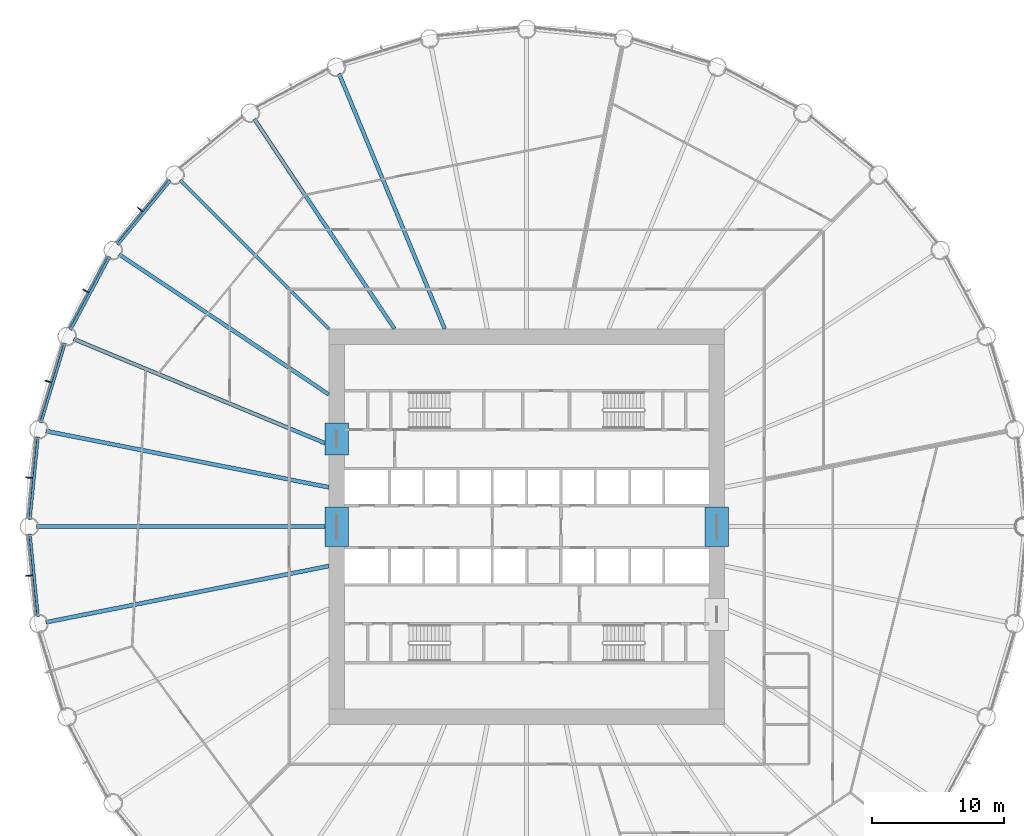
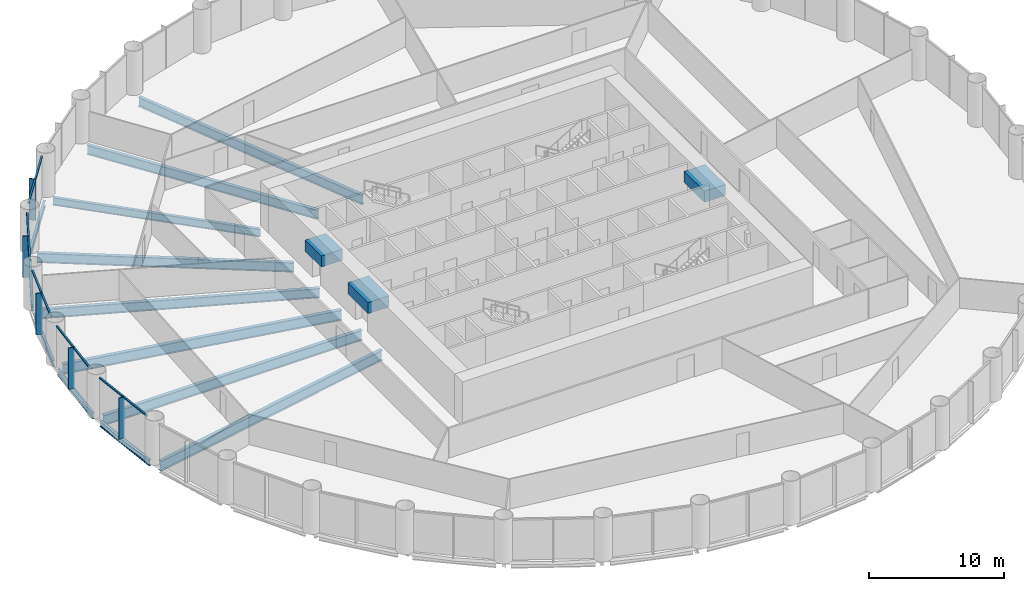
# One storey, part 4 of 15: 16 beams, 15 members, 5 elements without a shape of their own.
"""IFC4 building model written with IfcOpenShell, lengths in metres."""

import ifcopenshell
import ifcopenshell.guid

model = None  # the IFC model being written
_history = None  # IfcOwnerHistory: only IFC2X3 demands one
_inside = {}  # id of a spatial element -> (the spatial element, [elements in it])
_under = {}  # id of a project, library or spatial element -> (it, [spatial elements below it])
_declared = {}  # id of a project -> (the project, [libraries it declares])
_typed = {}  # id of a type object -> (the type object, [elements of that type])
_made_of = {}  # id of a material, layer set ... -> (it, [elements and type objects made of it])


def new_model(schema):
    """Start an empty IFC model of exactly this schema.

    Asked for "IFC4X3", IfcOpenShell would pick the latest addendum, in which some entities
    have other attributes; the version numbers below select the first issue.
    IFC2X3 requires an IfcOwnerHistory on every rooted entity: one is made here for all.
    """
    global model, _history
    if schema == "IFC4X3":
        model = ifcopenshell.file(schema_version=(4, 3, 0, 0))
    else:
        model = ifcopenshell.file(schema=schema)
    _inside.clear()
    _under.clear()
    _declared.clear()
    _typed.clear()
    _made_of.clear()
    _history = None
    if model.schema == "IFC2X3":
        org = make("IfcOrganization", Name="unknown")
        user = make(
            "IfcPersonAndOrganization",
            ThePerson=make("IfcPerson", FamilyName="unknown"),
            TheOrganization=org,
        )
        app = make(
            "IfcApplication",
            ApplicationDeveloper=org,
            Version="unknown",
            ApplicationFullName="unknown",
            ApplicationIdentifier="unknown",
        )
        _history = make(
            "IfcOwnerHistory",
            OwningUser=user,
            OwningApplication=app,
            ChangeAction="ADDED",
            CreationDate=0,
        )
    return model


def make(cls, **values):
    """One entity of the class cls with the attributes given. An attribute that is None is left unset."""
    return model.create_entity(
        cls, **{name: value for name, value in values.items() if value is not None}
    )


def rooted(cls, **values):
    """An entity with a GlobalId (a new one), such as an element, a storey or a relation."""
    return make(cls, GlobalId=ifcopenshell.guid.new(), OwnerHistory=_history, **values)


def si_unit(unit_type, name, prefix=None):
    """IfcSIUnit, for example si_unit("LENGTHUNIT", "METRE", prefix="MILLI")."""
    return make("IfcSIUnit", UnitType=unit_type, Prefix=prefix, Name=name)


def assignment(units):
    """IfcUnitAssignment: the units of a project."""
    return None if units is None else make("IfcUnitAssignment", Units=units)


def point(xyz):
    """IfcCartesianPoint."""
    return None if xyz is None else make("IfcCartesianPoint", Coordinates=xyz)


def direction(xyz):
    """IfcDirection."""
    return None if xyz is None else make("IfcDirection", DirectionRatios=xyz)


def frame(location, z_axis=None, x_axis=None):
    """IfcAxis2Placement3D, a coordinate frame: its origin and axes. An axis left out is left unset."""
    return make(
        "IfcAxis2Placement3D",
        Location=point(location),
        Axis=direction(z_axis),
        RefDirection=direction(x_axis),
    )


def frame_2d(location, x_axis=None):
    """IfcAxis2Placement2D, a coordinate frame in the plane: its origin and x axis."""
    return make(
        "IfcAxis2Placement2D", Location=point(location), RefDirection=direction(x_axis)
    )


def origin():
    """The frame at (0, 0, 0) with its axes left unset."""
    return frame((0.0, 0.0, 0.0))


def origin_2d():
    """The frame at (0, 0) in the plane with its x axis left unset."""
    return frame_2d((0.0, 0.0))


def place(relative_to, where):
    """IfcLocalPlacement: puts the frame where relative to a parent placement (None: the world)."""
    return make(
        "IfcLocalPlacement", PlacementRelTo=relative_to, RelativePlacement=where
    )


def context(
    kind, dimensions, precision=None, world=None, true_north=None, identifier=None
):
    """IfcGeometricRepresentationContext, for example the 3D "Model" context."""
    return make(
        "IfcGeometricRepresentationContext",
        ContextIdentifier=identifier,
        ContextType=kind,
        CoordinateSpaceDimension=dimensions,
        Precision=precision,
        WorldCoordinateSystem=world,
        TrueNorth=true_north,
    )


def subcontext(parent, identifier, kind, view, scale=None):
    """IfcGeometricRepresentationSubContext, for example "Body" below "Model"."""
    return make(
        "IfcGeometricRepresentationSubContext",
        ContextIdentifier=identifier,
        ContextType=kind,
        ParentContext=parent,
        TargetScale=scale,
        TargetView=view,
    )


def project(units=None, contexts=None):
    """IfcProject with its units and contexts."""
    return rooted(
        "IfcProject",
        Name="project",
        RepresentationContexts=contexts,
        UnitsInContext=assignment(units),
    )


def spatial(cls, under=None, at=None, **own):
    """A site, building, storey or space (cls), placed at a placement, below another one or the project."""
    s = rooted(cls, ObjectPlacement=at, **own)
    if under is not None:
        _under.setdefault(under.id(), (under, []))[1].append(s)
    return s


def profile(cls, at=None, kind="AREA", **sizes):
    """A parametric profile (cls). Its sizes go by their IFC names, for example OverallWidth=200.0."""
    return make(cls, ProfileType=kind, Position=at, **sizes)


def rectangle(**sizes):
    """IfcRectangleProfileDef."""
    return profile("IfcRectangleProfileDef", **sizes)


def i_section(**sizes):
    """IfcIShapeProfileDef."""
    return profile("IfcIShapeProfileDef", **sizes)


def extrude(swept, where, along, depth):
    """IfcExtrudedAreaSolid: the profile swept, set in the frame where, extruded along a direction by depth."""
    return make(
        "IfcExtrudedAreaSolid",
        SweptArea=swept,
        Position=where,
        ExtrudedDirection=direction(along),
        Depth=depth,
    )


def shape(context_of_items, identifier, shape_type, items):
    """IfcShapeRepresentation: the items that make up one representation, for example the "Body"."""
    return make(
        "IfcShapeRepresentation",
        ContextOfItems=context_of_items,
        RepresentationIdentifier=identifier,
        RepresentationType=shape_type,
        Items=items,
    )


def material(Name=None, Category=None):
    """IfcMaterial."""
    return make("IfcMaterial", Name=Name, Category=Category)


def material_profile(
    of_material, cross_section, Name=None, Category=None, Priority=None
):
    """IfcMaterialProfile: a cross section and its material."""
    return make(
        "IfcMaterialProfile",
        Name=Name,
        Material=of_material,
        Profile=cross_section,
        Priority=Priority,
        Category=Category,
    )


def profile_set(profiles, Name=None, composite=None):
    """IfcMaterialProfileSet."""
    return make(
        "IfcMaterialProfileSet",
        Name=Name,
        MaterialProfiles=profiles,
        CompositeProfile=composite,
    )


def made_of(thing, what):
    """Note that an element or type object is made of a material, layer set ...; save() writes the relation."""
    if what is not None:
        _made_of.setdefault(what.id(), (what, []))[1].append(thing)
    return thing


def type_object(cls, material=None, **own):
    """A type object (cls), such as IfcWallType, which elements share."""
    return made_of(rooted(cls, **own), material)


def element(
    cls,
    number,
    at=None,
    inside=None,
    cuts=None,
    type_object=None,
    material=None,
    context=None,
    identifier="Body",
    shape_type=None,
    held_by="IfcProductDefinitionShape",
    body=None,
    shapes=None,
    **own,
):
    """One element of the class cls, such as IfcWall. Its Tag is "e" and its number.

    at: its placement. inside: the storey or other place that contains it. cuts: it is an
    opening in that element (IfcRelVoidsElement). A single representation is given by context,
    identifier, shape_type and body (its items); several are given by shapes. held_by: the class
    of the entity that holds the representations. save() writes the other relations.
    """
    e = rooted(cls, Tag="e%d" % number, ObjectPlacement=at, **own)
    if body is not None:
        shapes = [shape(context, identifier, shape_type, body)]
    if shapes is not None:
        e.Representation = make(held_by, Representations=shapes)
    if inside is not None:
        _inside.setdefault(inside.id(), (inside, []))[1].append(e)
    if cuts is not None:
        rooted(
            "IfcRelVoidsElement", RelatingBuildingElement=cuts, RelatedOpeningElement=e
        )
    if type_object is not None:
        _typed.setdefault(type_object.id(), (type_object, []))[1].append(e)
    return made_of(e, material)


def aggregate(whole, parts):
    """IfcRelAggregates: a whole, such as a stair, and the parts it consists of."""
    return rooted("IfcRelAggregates", RelatingObject=whole, RelatedObjects=parts)


def save(model, path):
    """Write the relations noted so far, then the file.

    IfcRelAggregates (storeys below a building ...), IfcRelContainedInSpatialStructure (elements
    in a storey), IfcRelDefinesByType, IfcRelAssociatesMaterial and IfcRelDeclares: one each for
    every whole, place, type object, material and project.
    """
    for whole, parts in _under.values():
        aggregate(whole, parts)
    for where, things in _inside.values():
        rooted(
            "IfcRelContainedInSpatialStructure",
            RelatedElements=things,
            RelatingStructure=where,
        )
    for kind, things in _typed.values():
        rooted("IfcRelDefinesByType", RelatedObjects=things, RelatingType=kind)
    for what, things in _made_of.values():
        rooted("IfcRelAssociatesMaterial", RelatedObjects=things, RelatingMaterial=what)
    for by, libraries in _declared.values():
        rooted("IfcRelDeclares", RelatingContext=by, RelatedDefinitions=libraries)
    model.write(path)


model = new_model("IFC4")

# Units and contexts
model_context = context("Model", 3, precision=1e-05, world=origin(), true_north=direction((0.0, 1.0)))
body_context = subcontext(model_context, "Body", "Model", "MODEL_VIEW")
ifc_project = project(units=[si_unit("LENGTHUNIT", "METRE"), si_unit("AREAUNIT", "SQUARE_METRE"), si_unit("VOLUMEUNIT", "CUBIC_METRE"), si_unit("PLANEANGLEUNIT", "RADIAN"), si_unit("MASSUNIT", "GRAM", prefix="KILO")], contexts=[model_context])

# Site, building, storey
site_placement = place(None, origin())
site = spatial("IfcSite", under=ifc_project, at=site_placement, CompositionType="ELEMENT")
building_placement = place(site_placement, origin())
building = spatial("IfcBuilding", under=site, at=building_placement, Name="Corvane Civic Tower", CompositionType="ELEMENT")
storey_placement = place(building_placement, frame((0.0, 0.0, 73.0)))
storey = spatial("IfcBuildingStorey", under=building, at=storey_placement, Name="L16", CompositionType="ELEMENT", Elevation=73.0)

# Beams
ifc_material_1 = material(Name="Concrete C80/95", Category="concrete")
ifc_material_profile_1 = material_profile(ifc_material_1, rectangle(XDim=1.800048828125, YDim=1.0, at=origin_2d()), Name="COUPLING BEAM 1800X1000")
ifc_profile_set_1 = profile_set([ifc_material_profile_1], Name="Concrete C80/95")
beam_type_1 = type_object("IfcBeamType", Name="COUPLING BEAM COUPLING BEAM 1800X1000", PredefinedType="BEAM", material=ifc_profile_set_1)
for number, where, z_axis, x_axis, name in (
    (1, (-14.39990234375, -1.5, 2.60009765625), (0.0, 1.0, 0.0), (-1.0, 0.0, 0.0), "BM-L16-cpl-CW-LW"),
    (2, (14.39990234375, -1.5, 2.60009765625), (0.0, 1.0, 0.0), (-1.0, 0.0, 0.0), "BM-L16-cpl-CW-LE"),
):
    element("IfcBeam", number, at=place(storey_placement, frame(where, z_axis=z_axis, x_axis=x_axis)), inside=storey, type_object=beam_type_1, Name=name, PredefinedType="BEAM", context=body_context, shape_type="SweptSolid", body=[
        extrude(rectangle(XDim=1.800048828125, YDim=1.0, at=origin_2d()), origin(), (0.0, 0.0, 1.0), 3.0),
    ])
beam_1_placement = place(storey_placement, frame((-14.39990234375, 5.449951171875, 2.60009765625), z_axis=(0.0, 1.0, 0.0), x_axis=(-1.0, 0.0, 0.0)))
element("IfcBeam", 3, at=beam_1_placement, inside=storey, type_object=beam_type_1, Name="BM-L16-cpl-CW-WN", PredefinedType="BEAM", context=body_context, shape_type="SweptSolid", body=[
    extrude(rectangle(XDim=1.800048828125, YDim=1.0, at=origin_2d()), origin(), (0.0, 0.0, 1.0), 2.400146484375),
])
ifc_material_2 = material(Name="Steel ASTM A992 Gr 50", Category="steel")
ifc_material_profile_2 = material_profile(ifc_material_2, i_section(OverallWidth=0.209228515625, OverallDepth=0.533447265625, WebThickness=0.01025390625, FlangeThickness=0.015625, at=origin_2d()), Name="W21X62")
ifc_profile_set_2 = profile_set([ifc_material_profile_2], Name="Steel ASTM A992 Gr 50")
beam_type_2 = type_object("IfcBeamType", Name="EDGE BEAM W21X62", PredefinedType="BEAM", material=ifc_profile_set_2)
for number, where, z_axis, x_axis, name in (
    (4, (-37.029541015625, -6.8076171875, -0.566650390625), (-0.097997284622, 0.995186682089, 0.0), (-0.995186682089, -0.097997284622, 0.0), "BM-L16-E24"),
    (5, (-37.64599609375, 0.54736328125, -0.566650390625), (0.097997284622, 0.995186682089, 0.0), (-0.995186682089, 0.097997284622, 0.0), "BM-L16-E25"),
):
    element("IfcBeam", number, at=place(storey_placement, frame(where, z_axis=z_axis, x_axis=x_axis)), inside=storey, type_object=beam_type_2, Name=name, PredefinedType="BEAM", context=body_context, shape_type="SweptSolid", body=[
        extrude(i_section(OverallWidth=0.209228515625, OverallDepth=0.533447265625, WebThickness=0.01025390625, FlangeThickness=0.015625, at=origin_2d()), origin(), (0.0, 0.0, 1.0), 6.29052734375),
    ])
for number, where, z_axis, x_axis, name in (
    (6, (-36.81591796875, 7.88134765625, -0.566650390625), (0.290273452184, 0.956943740748, 0.0), (-0.956943740748, 0.290273452184, 0.0), "BM-L16-E26"),
    (7, (-34.571044921875, 14.912353515625, -0.566650390625), (0.471405897311, 0.881916367906, 0.0), (-0.881916367906, 0.471405897311, 0.0), "BM-L16-E27"),
):
    element("IfcBeam", number, at=place(storey_placement, frame(where, z_axis=z_axis, x_axis=x_axis)), inside=storey, type_object=beam_type_2, Name=name, PredefinedType="BEAM", context=body_context, shape_type="SweptSolid", body=[
        extrude(i_section(OverallWidth=0.209228515625, OverallDepth=0.533447265625, WebThickness=0.01025390625, FlangeThickness=0.015625, at=origin_2d()), origin(), (0.0, 0.0, 1.0), 6.290283203125),
    ])
beam_2_placement = place(storey_placement, frame((-30.99755859375, 21.3701171875, -0.566650390625), z_axis=(0.634386787141, 0.773015785286, 0.0), x_axis=(-0.773015785286, 0.634386787141, 0.0)))
element("IfcBeam", 8, at=beam_2_placement, inside=storey, type_object=beam_type_2, Name="BM-L16-E28", PredefinedType="BEAM", context=body_context, shape_type="SweptSolid", body=[
    extrude(i_section(OverallWidth=0.209228515625, OverallDepth=0.533447265625, WebThickness=0.01025390625, FlangeThickness=0.015625, at=origin_2d()), origin(), (0.0, 0.0, 1.0), 6.290771484375),
])
ifc_material_3 = material(Name="Steel ASTM A992 Gr 50", Category="steel")
ifc_material_profile_3 = material_profile(ifc_material_3, i_section(OverallWidth=0.256591796875, OverallDepth=0.693359375, WebThickness=0.014404296875, FlangeThickness=0.023681640625, at=origin_2d()), Name="W27X114")
ifc_profile_set_3 = profile_set([ifc_material_profile_3], Name="Steel ASTM A992 Gr 50")
beam_type_3 = type_object("IfcBeamType", Name="FLOOR GIRDER W27X114", PredefinedType="BEAM", material=ifc_profile_set_3)
beam_3_placement = place(storey_placement, frame((-15.0, 15.0, -0.646728515625), z_axis=(-0.707106781187, 0.707106781187, 0.0), x_axis=(-0.707106781187, -0.707106781187, 0.0)))
element("IfcBeam", 9, at=beam_3_placement, inside=storey, type_object=beam_type_3, Name="BM-L16-G29", PredefinedType="BEAM", context=body_context, shape_type="SweptSolid", body=[
    extrude(i_section(OverallWidth=0.256591796875, OverallDepth=0.693359375, WebThickness=0.014404296875, FlangeThickness=0.023681640625, at=origin_2d()), origin(), (0.0, 0.0, 1.0), 15.936767578125),
])
ifc_material_4 = material(Name="Steel ASTM A992 Gr 50", Category="steel")
ifc_material_profile_4 = material_profile(ifc_material_4, i_section(OverallWidth=0.2919921875, OverallDepth=0.8583984375, WebThickness=0.01708984375, FlangeThickness=0.031005859375, at=origin_2d()), Name="W33X169")
ifc_profile_set_4 = profile_set([ifc_material_profile_4], Name="Steel ASTM A992 Gr 50")
beam_type_4 = type_object("IfcBeamType", Name="FLOOR GIRDER W33X169", PredefinedType="BEAM", material=ifc_profile_set_4)
beam_4_placement = place(storey_placement, frame((-15.0, 6.213134765625, -0.729248046875), z_axis=(-0.923875834355, 0.382692360381, 0.0), x_axis=(-0.382692360381, -0.923875834355, 0.0)))
element("IfcBeam", 10, at=beam_4_placement, inside=storey, type_object=beam_type_4, Name="BM-L16-G27", PredefinedType="BEAM", context=body_context, shape_type="SweptSolid", body=[
    extrude(i_section(OverallWidth=0.2919921875, OverallDepth=0.8583984375, WebThickness=0.01708984375, FlangeThickness=0.031005859375, at=origin_2d()), origin(), (0.0, 0.0, 1.0), 20.9140625),
])
for number, where, z_axis, x_axis, name in (
    (11, (-15.0, 10.022705078125, -0.729248046875), (-0.831471985418, 0.555566681385, 0.0), (-0.555566681385, -0.831471985418, 0.0), "BM-L16-G28"),
    (12, (-10.022705078125, 15.0, -0.729248046875), (-0.555566681385, 0.831471985418, 0.0), (-0.831471985418, -0.555566681385, 0.0), "BM-L16-G30"),
):
    element("IfcBeam", number, at=place(storey_placement, frame(where, z_axis=z_axis, x_axis=x_axis)), inside=storey, type_object=beam_type_4, Name=name, PredefinedType="BEAM", context=body_context, shape_type="SweptSolid", body=[
        extrude(i_section(OverallWidth=0.2919921875, OverallDepth=0.8583984375, WebThickness=0.01708984375, FlangeThickness=0.031005859375, at=origin_2d()), origin(), (0.0, 0.0, 1.0), 19.109619140625),
    ])
beam_5_placement = place(storey_placement, frame((-6.213134765625, 15.0, -0.729248046875), z_axis=(-0.382692360381, 0.923875834355, 0.0), x_axis=(-0.923875834355, -0.382692360381, 0.0)))
element("IfcBeam", 13, at=beam_5_placement, inside=storey, type_object=beam_type_4, Name="BM-L16-G31", PredefinedType="BEAM", context=body_context, shape_type="SweptSolid", body=[
    extrude(i_section(OverallWidth=0.2919921875, OverallDepth=0.8583984375, WebThickness=0.01708984375, FlangeThickness=0.031005859375, at=origin_2d()), origin(), (0.0, 0.0, 1.0), 20.9140625),
])
ifc_material_5 = material(Name="Steel ASTM A992 Gr 50", Category="steel")
ifc_material_profile_5 = material_profile(ifc_material_5, i_section(OverallWidth=0.307373046875, OverallDepth=0.927001953125, WebThickness=0.01953125, FlangeThickness=0.031982421875, at=origin_2d()), Name="W36X194")
ifc_profile_set_5 = profile_set([ifc_material_profile_5], Name="Steel ASTM A992 Gr 50")
beam_type_5 = type_object("IfcBeamType", Name="FLOOR GIRDER W36X194", PredefinedType="BEAM", material=ifc_profile_set_5)
beam_6_placement = place(storey_placement, frame((-15.0, -2.983642578125, -0.763671875), z_axis=(-0.980785499679, -0.195089219638, 0.0), x_axis=(0.195089219638, -0.980785499679, 0.0)))
element("IfcBeam", 14, at=beam_6_placement, inside=storey, type_object=beam_type_5, Name="BM-L16-G24", PredefinedType="BEAM", context=body_context, shape_type="SweptSolid", body=[
    extrude(i_section(OverallWidth=0.307373046875, OverallDepth=0.927001953125, WebThickness=0.01953125, FlangeThickness=0.031982421875, at=origin_2d()), origin(), (0.0, 0.0, 1.0), 21.856201171875),
])
beam_7_placement = place(storey_placement, frame((-15.0, 0.0, -0.763671875), z_axis=(-1.0, 0.0, 0.0), x_axis=(0.0, -1.0, 0.0)))
element("IfcBeam", 15, at=beam_7_placement, inside=storey, type_object=beam_type_5, Name="BM-L16-G25", PredefinedType="BEAM", context=body_context, shape_type="SweptSolid", body=[
    extrude(i_section(OverallWidth=0.307373046875, OverallDepth=0.927001953125, WebThickness=0.01953125, FlangeThickness=0.031982421875, at=origin_2d()), origin(), (0.0, 0.0, 1.0), 22.14990234375),
])
beam_8_placement = place(storey_placement, frame((-15.0, 2.983642578125, -0.763671875), z_axis=(-0.980785499679, 0.195089219638, 0.0), x_axis=(-0.195089219638, -0.980785499679, 0.0)))
element("IfcBeam", 16, at=beam_8_placement, inside=storey, type_object=beam_type_5, Name="BM-L16-G26", PredefinedType="BEAM", context=body_context, shape_type="SweptSolid", body=[
    extrude(i_section(OverallWidth=0.307373046875, OverallDepth=0.927001953125, WebThickness=0.01953125, FlangeThickness=0.031982421875, at=origin_2d()), origin(), (0.0, 0.0, 1.0), 21.856201171875),
])

# Curtain wall, members
ifc_material_6 = material(Name="Anodised aluminium bronze", Category="aluminium")
curtain_wall_type = type_object("IfcCurtainWallType", Name="TOWER CW-T1 STICK CURTAIN WALL", PredefinedType="NOTDEFINED", material=ifc_material_6)
curtain_wall_1_placement = place(storey_placement, origin())
curtain_wall_1 = element("IfcCurtainWall", 17, at=curtain_wall_1_placement, inside=storey, type_object=curtain_wall_type, Name="Curtain wall CW-T1 L16 bay 24", PredefinedType="NOTDEFINED")
ifc_material_7 = material(Name="Anodised aluminium bronze", Category="aluminium")
ifc_material_profile_6 = material_profile(ifc_material_7, rectangle(XDim=0.139892578125, YDim=0.1201171875, at=origin_2d()), Name="TOWER CW-T1 TRANSOM 140x120")
ifc_profile_set_6 = profile_set([ifc_material_profile_6], Name="Anodised aluminium bronze")
member_type_1 = type_object("IfcMemberType", Name="TOWER CW-T1 TRANSOM 140x120", PredefinedType="USERDEFINED", material=ifc_profile_set_6)
member_1_placement = place(storey_placement, frame((-37.21728515625, -6.72900390625, 3.68994140625), z_axis=(-0.097944923917, 0.995191836722, 0.0), x_axis=(-0.995191836722, -0.097944923917, 0.0)))
member_1 = element("IfcMember", 18, at=member_1_placement, type_object=member_type_1, Name="Transom CW-T1 L16 24.1", ObjectType="TRANSOM", PredefinedType="USERDEFINED", context=body_context, shape_type="SweptSolid", body=[
    extrude(rectangle(XDim=0.139892578125, YDim=0.1201171875, at=origin_2d()), origin(), (0.0, 0.0, 1.0), 3.008544921875),
])
member_2_placement = place(storey_placement, frame((-37.52001953125, -3.6552734375, 3.68994140625), z_axis=(-0.097944923917, 0.995191836722, 0.0), x_axis=(-0.995191836722, -0.097944923917, 0.0)))
member_2 = element("IfcMember", 19, at=member_2_placement, type_object=member_type_1, Name="Transom CW-T1 L16 24.2", ObjectType="TRANSOM", PredefinedType="USERDEFINED", context=body_context, shape_type="SweptSolid", body=[
    extrude(rectangle(XDim=0.139892578125, YDim=0.1201171875, at=origin_2d()), origin(), (0.0, 0.0, 1.0), 3.008544921875),
])

curtain_wall_2_placement = place(storey_placement, origin())
curtain_wall_2 = element("IfcCurtainWall", 20, at=curtain_wall_2_placement, inside=storey, type_object=curtain_wall_type, Name="Curtain wall CW-T1 L16 bay 25", PredefinedType="NOTDEFINED")
member_3_placement = place(storey_placement, frame((-37.814697265625, 0.6611328125, 3.68994140625), z_axis=(0.097944923917, 0.995191836722, 0.0), x_axis=(-0.995191836722, 0.097944923917, 0.0)))
member_3 = element("IfcMember", 21, at=member_3_placement, type_object=member_type_1, Name="Transom CW-T1 L16 25.1", ObjectType="TRANSOM", PredefinedType="USERDEFINED", context=body_context, shape_type="SweptSolid", body=[
    extrude(rectangle(XDim=0.139892578125, YDim=0.1201171875, at=origin_2d()), origin(), (0.0, 0.0, 1.0), 3.008544921875),
])
member_4_placement = place(storey_placement, frame((-37.511962890625, 3.73486328125, 3.68994140625), z_axis=(0.097944923917, 0.995191836722, 0.0), x_axis=(-0.995191836722, 0.097944923917, 0.0)))
member_4 = element("IfcMember", 22, at=member_4_placement, type_object=member_type_1, Name="Transom CW-T1 L16 25.2", ObjectType="TRANSOM", PredefinedType="USERDEFINED", context=body_context, shape_type="SweptSolid", body=[
    extrude(rectangle(XDim=0.139892578125, YDim=0.1201171875, at=origin_2d()), origin(), (0.0, 0.0, 1.0), 3.008544921875),
])

curtain_wall_3_placement = place(storey_placement, origin())
curtain_wall_3 = element("IfcCurtainWall", 23, at=curtain_wall_3_placement, inside=storey, type_object=curtain_wall_type, Name="Curtain wall CW-T1 L16 bay 26", PredefinedType="NOTDEFINED")
member_5_placement = place(storey_placement, frame((-36.959228515625, 8.02587890625, 3.68994140625), z_axis=(0.290279914268, 0.956941780555, 0.0), x_axis=(-0.956941780555, 0.290279914268, 0.0)))
member_5 = element("IfcMember", 24, at=member_5_placement, type_object=member_type_1, Name="Transom CW-T1 L16 26.1", ObjectType="TRANSOM", PredefinedType="USERDEFINED", context=body_context, shape_type="SweptSolid", body=[
    extrude(rectangle(XDim=0.139892578125, YDim=0.1201171875, at=origin_2d()), origin(), (0.0, 0.0, 1.0), 3.008544921875),
])
member_6_placement = place(storey_placement, frame((-36.062744140625, 10.9814453125, 3.68994140625), z_axis=(0.290279914268, 0.956941780555, 0.0), x_axis=(-0.956941780555, 0.290279914268, 0.0)))
member_6 = element("IfcMember", 25, at=member_6_placement, type_object=member_type_1, Name="Transom CW-T1 L16 26.2", ObjectType="TRANSOM", PredefinedType="USERDEFINED", context=body_context, shape_type="SweptSolid", body=[
    extrude(rectangle(XDim=0.139892578125, YDim=0.1201171875, at=origin_2d()), origin(), (0.0, 0.0, 1.0), 3.008544921875),
])

curtain_wall_4_placement = place(storey_placement, origin())
curtain_wall_4 = element("IfcCurtainWall", 26, at=curtain_wall_4_placement, inside=storey, type_object=curtain_wall_type, Name="Curtain wall CW-T1 L16 bay 27", PredefinedType="NOTDEFINED")
member_7_placement = place(storey_placement, frame((-34.683349609375, 15.08203125, 3.68994140625), z_axis=(0.471392506424, 0.881923525532, 0.0), x_axis=(-0.881923525532, 0.471392506424, 0.0)))
member_7 = element("IfcMember", 27, at=member_7_placement, type_object=member_type_1, Name="Transom CW-T1 L16 27.1", ObjectType="TRANSOM", PredefinedType="USERDEFINED", context=body_context, shape_type="SweptSolid", body=[
    extrude(rectangle(XDim=0.139892578125, YDim=0.1201171875, at=origin_2d()), origin(), (0.0, 0.0, 1.0), 3.008544921875),
])
member_8_placement = place(storey_placement, frame((-33.2275390625, 17.805908203125, 3.68994140625), z_axis=(0.471392506424, 0.881923525532, 0.0), x_axis=(-0.881923525532, 0.471392506424, 0.0)))
member_8 = element("IfcMember", 28, at=member_8_placement, type_object=member_type_1, Name="Transom CW-T1 L16 27.2", ObjectType="TRANSOM", PredefinedType="USERDEFINED", context=body_context, shape_type="SweptSolid", body=[
    extrude(rectangle(XDim=0.139892578125, YDim=0.1201171875, at=origin_2d()), origin(), (0.0, 0.0, 1.0), 3.008544921875),
])

curtain_wall_5_placement = place(storey_placement, origin())
curtain_wall_5 = element("IfcCurtainWall", 29, at=curtain_wall_5_placement, inside=storey, type_object=curtain_wall_type, Name="Curtain wall CW-T1 L16 bay 28", PredefinedType="NOTDEFINED")
member_9_placement = place(storey_placement, frame((-31.074462890625, 21.55859375, 3.68994140625), z_axis=(0.634355161466, 0.773041738279, 0.0), x_axis=(-0.773041738279, 0.634355161466, 0.0)))
member_9 = element("IfcMember", 30, at=member_9_placement, type_object=member_type_1, Name="Transom CW-T1 L16 28.1", ObjectType="TRANSOM", PredefinedType="USERDEFINED", context=body_context, shape_type="SweptSolid", body=[
    extrude(rectangle(XDim=0.139892578125, YDim=0.1201171875, at=origin_2d()), origin(), (0.0, 0.0, 1.0), 3.008544921875),
])
member_10_placement = place(storey_placement, frame((-29.115234375, 23.946044921875, 3.68994140625), z_axis=(0.634403652865, 0.773001943873, 0.0), x_axis=(-0.773001943873, 0.634403652865, 0.0)))
member_10 = element("IfcMember", 31, at=member_10_placement, type_object=member_type_1, Name="Transom CW-T1 L16 28.2", ObjectType="TRANSOM", PredefinedType="USERDEFINED", context=body_context, shape_type="SweptSolid", body=[
    extrude(rectangle(XDim=0.139892578125, YDim=0.1201171875, at=origin_2d()), origin(), (0.0, 0.0, 1.0), 3.008544921875),
])

# Member
ifc_material_8 = material(Name="Anodised aluminium bronze", Category="aluminium")
ifc_material_profile_7 = material_profile(ifc_material_8, rectangle(XDim=0.080078125, YDim=0.5, at=origin_2d()), Name="TOWER FIN MULLION 80x500 BRONZE")
ifc_profile_set_7 = profile_set([ifc_material_profile_7], Name="Anodised aluminium bronze")
member_type_2 = type_object("IfcMemberType", Name="TOWER FIN MULLION 80x500 BRONZE", PredefinedType="MULLION", material=ifc_profile_set_7)
member_11_placement = place(storey_placement, frame((-37.715087890625, -3.714599609375, 0.0), z_axis=(0.0, 0.0, 1.0), x_axis=(-0.098006239521, 0.995185800248, 0.0)))
member_11 = element("IfcMember", 32, at=member_11_placement, type_object=member_type_2, Name="Fin mullion 24 L16", PredefinedType="MULLION", context=body_context, shape_type="SweptSolid", body=[
    extrude(rectangle(XDim=0.080078125, YDim=0.5, at=origin_2d()), origin(), (0.0, 0.0, 1.0), 3.75),
])

aggregate(curtain_wall_1, [member_11, member_1, member_2])

member_12_placement = place(storey_placement, frame((-37.715087890625, 3.714599609375, 0.0), z_axis=(0.0, 0.0, 1.0), x_axis=(0.098006239521, 0.995185800248, 0.0)))
member_12 = element("IfcMember", 33, at=member_12_placement, type_object=member_type_2, Name="Fin mullion 25 L16", PredefinedType="MULLION", context=body_context, shape_type="SweptSolid", body=[
    extrude(rectangle(XDim=0.080078125, YDim=0.5, at=origin_2d()), origin(), (0.0, 0.0, 1.0), 3.75),
])

aggregate(curtain_wall_2, [member_12, member_3, member_4])

member_13_placement = place(storey_placement, frame((-36.265625, 11.001220703125, 0.0), z_axis=(0.0, 0.0, 1.0), x_axis=(0.290278397654, 0.956942240606, 0.0)))
member_13 = element("IfcMember", 34, at=member_13_placement, type_object=member_type_2, Name="Fin mullion 26 L16", PredefinedType="MULLION", context=body_context, shape_type="SweptSolid", body=[
    extrude(rectangle(XDim=0.080078125, YDim=0.5, at=origin_2d()), origin(), (0.0, 0.0, 1.0), 3.75),
])

aggregate(curtain_wall_3, [member_13, member_5, member_6])

member_14_placement = place(storey_placement, frame((-33.422607421875, 17.86474609375, 0.0), z_axis=(0.0, 0.0, 1.0), x_axis=(0.471403725359, 0.881917528864, 0.0)))
member_14 = element("IfcMember", 35, at=member_14_placement, type_object=member_type_2, Name="Fin mullion 27 L16", PredefinedType="MULLION", context=body_context, shape_type="SweptSolid", body=[
    extrude(rectangle(XDim=0.080078125, YDim=0.5, at=origin_2d()), origin(), (0.0, 0.0, 1.0), 3.75),
])

aggregate(curtain_wall_4, [member_14, member_7, member_8])

member_15_placement = place(storey_placement, frame((-29.295166015625, 24.0419921875, 0.0), z_axis=(0.0, 0.0, 1.0), x_axis=(0.634397218569, 0.773007224463, 0.0)))
member_15 = element("IfcMember", 36, at=member_15_placement, type_object=member_type_2, Name="Fin mullion 28 L16", PredefinedType="MULLION", context=body_context, shape_type="SweptSolid", body=[
    extrude(rectangle(XDim=0.080078125, YDim=0.5, at=origin_2d()), origin(), (0.0, 0.0, 1.0), 3.75),
])

aggregate(curtain_wall_5, [member_15, member_9, member_10])

save(model, "model.ifc")
